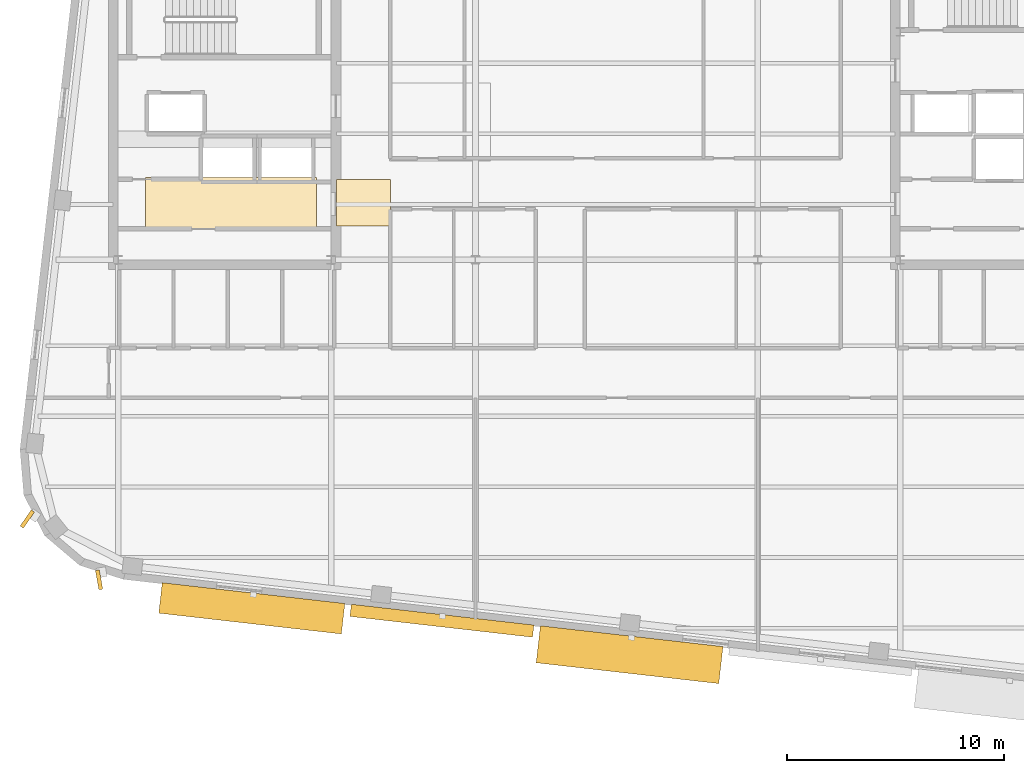
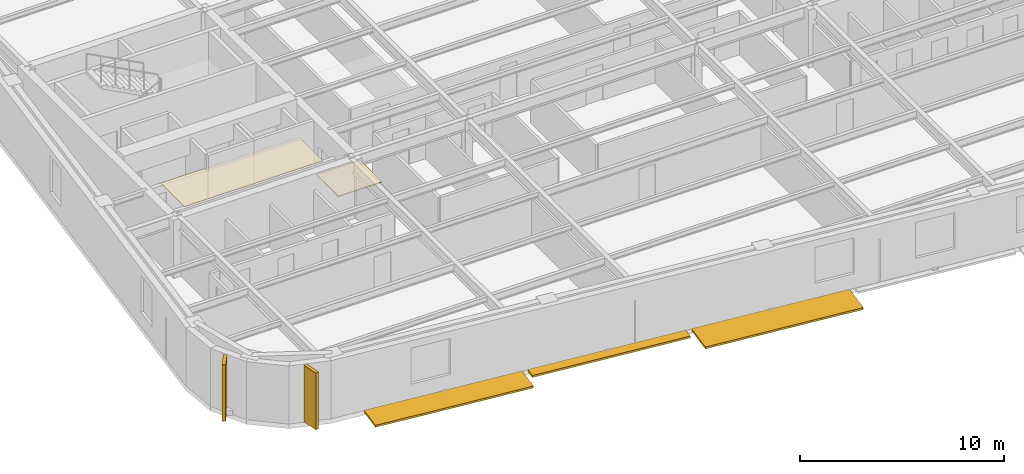
# One storey, part 10 of 14: 5 shading devices, 2 coverings.
"""IFC4 building model written with IfcOpenShell, lengths in metres."""

from ifc_helpers import new_model, si_unit, direction, frame, origin, origin_2d, place, context, subcontext, project, spatial, polyline, rectangle, outline, extrude, material, layer, layer_set, type_object, element, save


model = new_model("IFC4")

# Units and contexts
model_context = context("Model", 3, precision=1e-05, world=origin(), true_north=direction((0.0, 1.0)))
body_context = subcontext(model_context, "Body", "Model", "MODEL_VIEW")
ifc_project = project(units=[si_unit("LENGTHUNIT", "METRE"), si_unit("AREAUNIT", "SQUARE_METRE"), si_unit("VOLUMEUNIT", "CUBIC_METRE"), si_unit("PLANEANGLEUNIT", "RADIAN"), si_unit("MASSUNIT", "GRAM", prefix="KILO")], contexts=[model_context])

# Site, building, storey
site_placement = place(None, origin())
site = spatial("IfcSite", under=ifc_project, at=site_placement, CompositionType="ELEMENT")
building_placement = place(site_placement, origin())
building = spatial("IfcBuilding", under=site, at=building_placement, Name="Kolvaren Arena Tower", CompositionType="ELEMENT")
storey_placement = place(building_placement, frame((0.0, 0.0, 258.449951171875)))
storey = spatial("IfcBuildingStorey", under=building, at=storey_placement, Name="L63", CompositionType="ELEMENT", Elevation=258.449951171875)

# Coverings
ifc_material_1 = material(Name="Moisture-resistant gypsum ceiling", Category="gypsum")
ifc_layer_1 = layer(ifc_material_1, 0.030029296875)
ifc_layer_set_1 = layer_set([ifc_layer_1], Name="Moisture-resistant gypsum ceiling")
covering_type_1 = type_object("IfcCoveringType", Name="CEIL-GYP-1", PredefinedType="CEILING", material=ifc_layer_set_1)
covering_1_placement = place(storey_placement, frame((0.0, 0.0, 2.52001953125)))
element("IfcCovering", 1, at=covering_1_placement, inside=storey, type_object=covering_type_1, Name="Suspended Ceiling (L63)", PredefinedType="CEILING", context=body_context, shape_type="SweptSolid", body=[
    extrude(outline(polyline([(15.820068359375, 20.89990234375), (15.820068359375, 23.239990234375), (23.679931640625, 23.239990234375), (23.679931640625, 20.89990234375), (15.820068359375, 20.89990234375)])), origin(), (0.0, 0.0, 1.0), 0.030029296875),
])
ifc_material_2 = material(Name="Raised access office floor finish", Category="aluminium")
ifc_layer_2 = layer(ifc_material_2, 0.044921875)
ifc_layer_set_2 = layer_set([ifc_layer_2], Name="Raised access office floor finish")
covering_type_2 = type_object("IfcCoveringType", Name="FLOR-RAF-1", PredefinedType="FLOORING", material=ifc_layer_set_2)
covering_2_placement = place(storey_placement, origin())
element("IfcCovering", 2, at=covering_2_placement, inside=storey, type_object=covering_type_2, Name="Floor Finish (L63)", PredefinedType="FLOORING", context=body_context, shape_type="SweptSolid", body=[
    extrude(outline(polyline([(24.60009765625, 21.0), (24.60009765625, 23.14990234375), (27.080078125, 23.14990234375), (27.080078125, 21.0), (24.60009765625, 21.0)])), origin(), (0.0, 0.0, 1.0), 0.045166015625),
])

# Shading devices
ifc_material_3 = material(Name="Precast architectural concrete C50/60 rib fin", Category="concrete")
shading_device_type_1 = type_object("IfcShadingDeviceType", Name="SHAD-FIN-28", PredefinedType="USERDEFINED", material=ifc_material_3)
for number, where, z_axis, x_axis, name in (
    (3, (10.369140625, 7.52001953125, 0.02001953125), (0.0, 0.0, 1.0), (-0.569965213199, -0.821668823641, 0.0), "Precast 28-Deg Corner Rib Fin (L63)"),
    (4, (13.67333984375, 4.722900390625, 0.02001953125), (0.0, 0.0, 1.0), (0.177965872603, -0.984036659982, 0.0), "Precast 28-Deg Corner Rib Fin (L63)"),
):
    element("IfcShadingDevice", number, at=place(storey_placement, frame(where, z_axis=z_axis, x_axis=x_axis)), inside=storey, type_object=shading_device_type_1, Name=name, ObjectType="FIN", PredefinedType="USERDEFINED", context=body_context, shape_type="SweptSolid", body=[
        extrude(rectangle(XDim=0.89990234375, YDim=0.179931640625, at=origin_2d()), origin(), (0.0, 0.0, 1.0), 3.39990234375),
    ])
ifc_material_4 = material(Name="Architectural precast GFRC and anodised aluminium sunshade", Category="concrete")
shading_device_type_2 = type_object("IfcShadingDeviceType", Name="SHAD-SINE-A", PredefinedType="USERDEFINED", material=ifc_material_4)
shading_device_1_placement = place(storey_placement, frame((29.455078125, 2.839599609375, -0.139892578125), z_axis=(0.0, 0.0, 1.0), x_axis=(-0.993571658098, 0.113204947878, 0.0)))
element("IfcShadingDevice", 5, at=shading_device_1_placement, inside=storey, type_object=shading_device_type_2, Name="Sinusoidal Slab-Edge Sunshade Louvre (L63)", ObjectType="LOUVRE", PredefinedType="USERDEFINED", context=body_context, shape_type="SweptSolid", body=[
    extrude(rectangle(XDim=8.4599609375, YDim=0.564453125, at=origin_2d()), origin(), (0.0, 0.0, 1.0), 0.1201171875),
])
shading_device_type_3 = type_object("IfcShadingDeviceType", Name="SHAD-SINE-B", PredefinedType="JALOUSIE", material=ifc_material_4)
shading_device_2_placement = place(storey_placement, frame((38.093505859375, 1.276611328125, -0.139892578125), z_axis=(0.0, 0.0, 1.0), x_axis=(-0.993571658098, 0.113204947878, 0.0)))
element("IfcShadingDevice", 6, at=shading_device_2_placement, inside=storey, type_object=shading_device_type_3, Name="Sinusoidal Slab-Edge Sunshade Louvre (L63)", PredefinedType="JALOUSIE", context=body_context, shape_type="SweptSolid", body=[
    extrude(rectangle(XDim=8.4599609375, YDim=1.71435546875, at=origin_2d()), origin(), (0.0, 0.0, 1.0), 0.1201171875),
])
shading_device_3_placement = place(storey_placement, frame((20.703369140625, 3.410400390625, -0.139892578125), z_axis=(0.0, 0.0, 1.0), x_axis=(-0.993571658098, 0.113204947878, 0.0)))
element("IfcShadingDevice", 7, at=shading_device_3_placement, inside=storey, type_object=shading_device_type_3, Name="Sinusoidal Slab-Edge Sunshade Louvre (L63)", PredefinedType="JALOUSIE", context=body_context, shape_type="SweptSolid", body=[
    extrude(rectangle(XDim=8.4599609375, YDim=1.41162109375, at=origin_2d()), origin(), (0.0, 0.0, 1.0), 0.1201171875),
])

save(model, "model.ifc")
